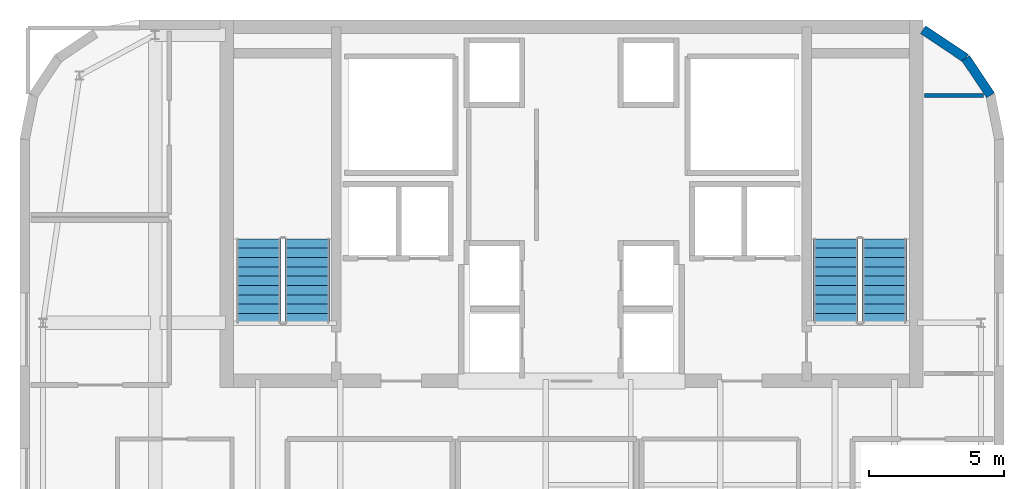
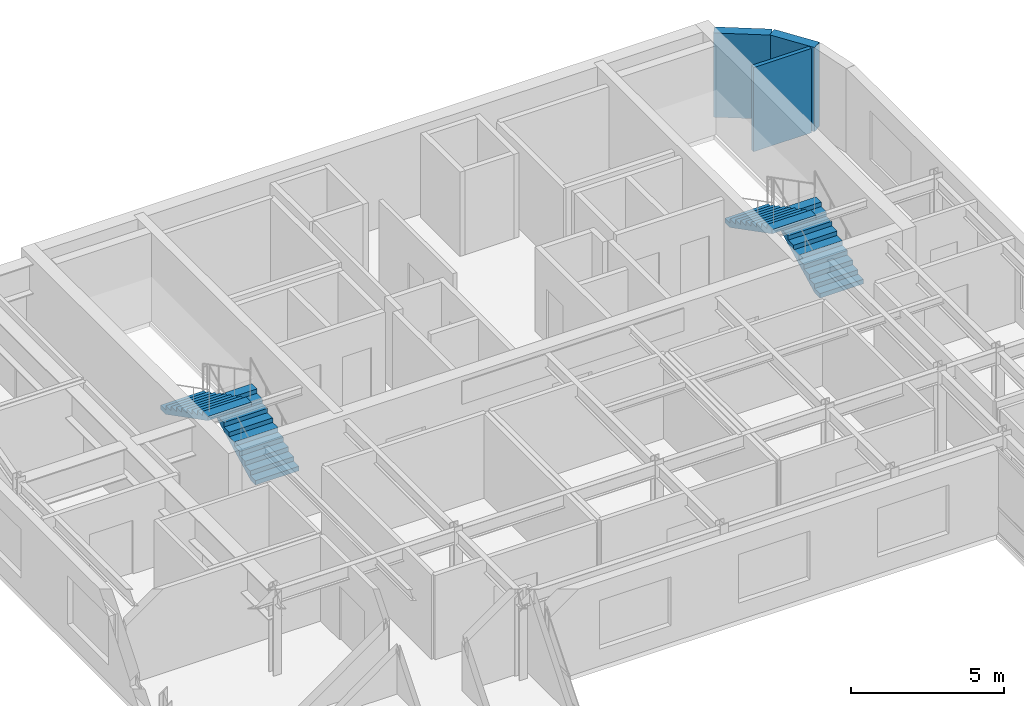
# One storey, part 17 of 18: 4 stair flights, 3 walls, 2 elements without a shape of their own.
"""IFC4 building model written with IfcOpenShell, lengths in metres."""

import ifcopenshell
import ifcopenshell.guid

model = None  # the IFC model being written
_history = None  # IfcOwnerHistory: only IFC2X3 demands one
_inside = {}  # id of a spatial element -> (the spatial element, [elements in it])
_under = {}  # id of a project, library or spatial element -> (it, [spatial elements below it])
_declared = {}  # id of a project -> (the project, [libraries it declares])
_typed = {}  # id of a type object -> (the type object, [elements of that type])
_made_of = {}  # id of a material, layer set ... -> (it, [elements and type objects made of it])


def new_model(schema):
    """Start an empty IFC model of exactly this schema.

    Asked for "IFC4X3", IfcOpenShell would pick the latest addendum, in which some entities
    have other attributes; the version numbers below select the first issue.
    IFC2X3 requires an IfcOwnerHistory on every rooted entity: one is made here for all.
    """
    global model, _history
    if schema == "IFC4X3":
        model = ifcopenshell.file(schema_version=(4, 3, 0, 0))
    else:
        model = ifcopenshell.file(schema=schema)
    _inside.clear()
    _under.clear()
    _declared.clear()
    _typed.clear()
    _made_of.clear()
    _history = None
    if model.schema == "IFC2X3":
        org = make("IfcOrganization", Name="unknown")
        user = make(
            "IfcPersonAndOrganization",
            ThePerson=make("IfcPerson", FamilyName="unknown"),
            TheOrganization=org,
        )
        app = make(
            "IfcApplication",
            ApplicationDeveloper=org,
            Version="unknown",
            ApplicationFullName="unknown",
            ApplicationIdentifier="unknown",
        )
        _history = make(
            "IfcOwnerHistory",
            OwningUser=user,
            OwningApplication=app,
            ChangeAction="ADDED",
            CreationDate=0,
        )
    return model


def make(cls, **values):
    """One entity of the class cls with the attributes given. An attribute that is None is left unset."""
    return model.create_entity(
        cls, **{name: value for name, value in values.items() if value is not None}
    )


def rooted(cls, **values):
    """An entity with a GlobalId (a new one), such as an element, a storey or a relation."""
    return make(cls, GlobalId=ifcopenshell.guid.new(), OwnerHistory=_history, **values)


def si_unit(unit_type, name, prefix=None):
    """IfcSIUnit, for example si_unit("LENGTHUNIT", "METRE", prefix="MILLI")."""
    return make("IfcSIUnit", UnitType=unit_type, Prefix=prefix, Name=name)


def assignment(units):
    """IfcUnitAssignment: the units of a project."""
    return None if units is None else make("IfcUnitAssignment", Units=units)


def point(xyz):
    """IfcCartesianPoint."""
    return None if xyz is None else make("IfcCartesianPoint", Coordinates=xyz)


def direction(xyz):
    """IfcDirection."""
    return None if xyz is None else make("IfcDirection", DirectionRatios=xyz)


def frame(location, z_axis=None, x_axis=None):
    """IfcAxis2Placement3D, a coordinate frame: its origin and axes. An axis left out is left unset."""
    return make(
        "IfcAxis2Placement3D",
        Location=point(location),
        Axis=direction(z_axis),
        RefDirection=direction(x_axis),
    )


def frame_2d(location, x_axis=None):
    """IfcAxis2Placement2D, a coordinate frame in the plane: its origin and x axis."""
    return make(
        "IfcAxis2Placement2D", Location=point(location), RefDirection=direction(x_axis)
    )


def origin():
    """The frame at (0, 0, 0) with its axes left unset."""
    return frame((0.0, 0.0, 0.0))


def place(relative_to, where):
    """IfcLocalPlacement: puts the frame where relative to a parent placement (None: the world)."""
    return make(
        "IfcLocalPlacement", PlacementRelTo=relative_to, RelativePlacement=where
    )


def context(
    kind, dimensions, precision=None, world=None, true_north=None, identifier=None
):
    """IfcGeometricRepresentationContext, for example the 3D "Model" context."""
    return make(
        "IfcGeometricRepresentationContext",
        ContextIdentifier=identifier,
        ContextType=kind,
        CoordinateSpaceDimension=dimensions,
        Precision=precision,
        WorldCoordinateSystem=world,
        TrueNorth=true_north,
    )


def subcontext(parent, identifier, kind, view, scale=None):
    """IfcGeometricRepresentationSubContext, for example "Body" below "Model"."""
    return make(
        "IfcGeometricRepresentationSubContext",
        ContextIdentifier=identifier,
        ContextType=kind,
        ParentContext=parent,
        TargetScale=scale,
        TargetView=view,
    )


def project(units=None, contexts=None):
    """IfcProject with its units and contexts."""
    return rooted(
        "IfcProject",
        Name="project",
        RepresentationContexts=contexts,
        UnitsInContext=assignment(units),
    )


def spatial(cls, under=None, at=None, **own):
    """A site, building, storey or space (cls), placed at a placement, below another one or the project."""
    s = rooted(cls, ObjectPlacement=at, **own)
    if under is not None:
        _under.setdefault(under.id(), (under, []))[1].append(s)
    return s


def polyline(points):
    """IfcPolyline through the points."""
    return make("IfcPolyline", Points=[point(p) for p in points])


def profile(cls, at=None, kind="AREA", **sizes):
    """A parametric profile (cls). Its sizes go by their IFC names, for example OverallWidth=200.0."""
    return make(cls, ProfileType=kind, Position=at, **sizes)


def rectangle(**sizes):
    """IfcRectangleProfileDef."""
    return profile("IfcRectangleProfileDef", **sizes)


def outline(outer, holes=None, kind="AREA"):
    """IfcArbitraryClosedProfileDef: a profile drawn as a closed curve; with holes, ...WithVoids."""
    if holes is None:
        return make("IfcArbitraryClosedProfileDef", ProfileType=kind, OuterCurve=outer)
    return make(
        "IfcArbitraryProfileDefWithVoids",
        ProfileType=kind,
        OuterCurve=outer,
        InnerCurves=holes,
    )


def extrude(swept, where, along, depth):
    """IfcExtrudedAreaSolid: the profile swept, set in the frame where, extruded along a direction by depth."""
    return make(
        "IfcExtrudedAreaSolid",
        SweptArea=swept,
        Position=where,
        ExtrudedDirection=direction(along),
        Depth=depth,
    )


def shape(context_of_items, identifier, shape_type, items):
    """IfcShapeRepresentation: the items that make up one representation, for example the "Body"."""
    return make(
        "IfcShapeRepresentation",
        ContextOfItems=context_of_items,
        RepresentationIdentifier=identifier,
        RepresentationType=shape_type,
        Items=items,
    )


def material(Name=None, Category=None):
    """IfcMaterial."""
    return make("IfcMaterial", Name=Name, Category=Category)


def layer(
    of_material, thickness, ventilated=None, Name=None, Category=None, Priority=None
):
    """IfcMaterialLayer: one layer of a wall or slab, of a material (None: an air gap)."""
    return make(
        "IfcMaterialLayer",
        Material=of_material,
        LayerThickness=thickness,
        IsVentilated=ventilated,
        Name=Name,
        Category=Category,
        Priority=Priority,
    )


def layer_set(layers, Name=None):
    """IfcMaterialLayerSet."""
    return make("IfcMaterialLayerSet", MaterialLayers=layers, LayerSetName=Name)


def made_of(thing, what):
    """Note that an element or type object is made of a material, layer set ...; save() writes the relation."""
    if what is not None:
        _made_of.setdefault(what.id(), (what, []))[1].append(thing)
    return thing


def type_object(cls, material=None, **own):
    """A type object (cls), such as IfcWallType, which elements share."""
    return made_of(rooted(cls, **own), material)


def element(
    cls,
    number,
    at=None,
    inside=None,
    cuts=None,
    type_object=None,
    material=None,
    context=None,
    identifier="Body",
    shape_type=None,
    held_by="IfcProductDefinitionShape",
    body=None,
    shapes=None,
    **own,
):
    """One element of the class cls, such as IfcWall. Its Tag is "e" and its number.

    at: its placement. inside: the storey or other place that contains it. cuts: it is an
    opening in that element (IfcRelVoidsElement). A single representation is given by context,
    identifier, shape_type and body (its items); several are given by shapes. held_by: the class
    of the entity that holds the representations. save() writes the other relations.
    """
    e = rooted(cls, Tag="e%d" % number, ObjectPlacement=at, **own)
    if body is not None:
        shapes = [shape(context, identifier, shape_type, body)]
    if shapes is not None:
        e.Representation = make(held_by, Representations=shapes)
    if inside is not None:
        _inside.setdefault(inside.id(), (inside, []))[1].append(e)
    if cuts is not None:
        rooted(
            "IfcRelVoidsElement", RelatingBuildingElement=cuts, RelatedOpeningElement=e
        )
    if type_object is not None:
        _typed.setdefault(type_object.id(), (type_object, []))[1].append(e)
    return made_of(e, material)


def aggregate(whole, parts):
    """IfcRelAggregates: a whole, such as a stair, and the parts it consists of."""
    return rooted("IfcRelAggregates", RelatingObject=whole, RelatedObjects=parts)


def save(model, path):
    """Write the relations noted so far, then the file.

    IfcRelAggregates (storeys below a building ...), IfcRelContainedInSpatialStructure (elements
    in a storey), IfcRelDefinesByType, IfcRelAssociatesMaterial and IfcRelDeclares: one each for
    every whole, place, type object, material and project.
    """
    for whole, parts in _under.values():
        aggregate(whole, parts)
    for where, things in _inside.values():
        rooted(
            "IfcRelContainedInSpatialStructure",
            RelatedElements=things,
            RelatingStructure=where,
        )
    for kind, things in _typed.values():
        rooted("IfcRelDefinesByType", RelatedObjects=things, RelatingType=kind)
    for what, things in _made_of.values():
        rooted("IfcRelAssociatesMaterial", RelatedObjects=things, RelatingMaterial=what)
    for by, libraries in _declared.values():
        rooted("IfcRelDeclares", RelatingContext=by, RelatedDefinitions=libraries)
    model.write(path)


model = new_model("IFC4")

# Units and contexts
model_context = context("Model", 3, precision=1e-05, world=origin(), true_north=direction((0.0, 1.0)))
body_context = subcontext(model_context, "Body", "Model", "MODEL_VIEW")
ifc_project = project(units=[si_unit("LENGTHUNIT", "METRE"), si_unit("AREAUNIT", "SQUARE_METRE"), si_unit("VOLUMEUNIT", "CUBIC_METRE"), si_unit("PLANEANGLEUNIT", "RADIAN"), si_unit("MASSUNIT", "GRAM", prefix="KILO")], contexts=[model_context])

# Site, building, storey
site_placement = place(None, origin())
site = spatial("IfcSite", under=ifc_project, at=site_placement, CompositionType="ELEMENT")
building_placement = place(site_placement, origin())
building = spatial("IfcBuilding", under=site, at=building_placement, Name="Tolvann Quenvar Hotel", CompositionType="ELEMENT")
storey_placement = place(building_placement, frame((0.0, 0.0, 252.300048828125)))
storey = spatial("IfcBuildingStorey", under=building, at=storey_placement, Name="L67", CompositionType="ELEMENT", Elevation=252.300048828125)

# Walls
ifc_material_1 = material(Name="Kiln-fired red and buff architectural clay brickwork and terracotta masonry", Category="masonry")
ifc_layer_1 = layer(ifc_material_1, 0.35009765625)
ifc_layer_set_1 = layer_set([ifc_layer_1], Name="Kiln-fired red and buff architectural clay brickwork and terracotta masonry")
wall_type_1 = type_object("IfcWallType", Name="WALL_EXT_BRICK_350", PredefinedType="SOLIDWALL", material=ifc_layer_set_1)
wall_1_placement = place(storey_placement, frame((38.500244140625, 42.41552734375, 0.0), z_axis=(0.0, 0.0, 1.0), x_axis=(-0.555520825599, 0.831502623162, 0.0)))
element("IfcWall", 1, at=wall_1_placement, inside=storey, type_object=wall_type_1, Name="Exterior Chicago Brick Wall L67-E15", PredefinedType="SOLIDWALL", context=body_context, shape_type="SweptSolid", body=[
    extrude(rectangle(XDim=1.647216796875, YDim=0.35009765625, at=frame_2d((0.82373046875, 0.0))), origin(), (0.0, 0.0, 1.0), 3.369873046875),
])
wall_2_placement = place(storey_placement, frame((37.585205078125, 43.78515625, 0.0), z_axis=(0.0, 0.0, 1.0), x_axis=(-0.831516639465, 0.555499845448, 0.0)))
element("IfcWall", 2, at=wall_2_placement, inside=storey, type_object=wall_type_1, Name="Exterior Chicago Brick Wall L67-E16", PredefinedType="SOLIDWALL", context=body_context, shape_type="SweptSolid", body=[
    extrude(rectangle(XDim=1.901611328125, YDim=0.35009765625, at=frame_2d((0.95068359375, 0.0))), origin(), (0.0, 0.0, 1.0), 3.369873046875),
])
ifc_material_2 = material(Name="Acoustic twin-stud fire-rated gypsum plasterboard partition")
ifc_layer_2 = layer(ifc_material_2, 0.14990234375)
ifc_layer_set_2 = layer_set([ifc_layer_2], Name="Acoustic twin-stud fire-rated gypsum plasterboard partition")
wall_type_2 = type_object("IfcWallType", Name="WALL_PART_SUITE_150", PredefinedType="PARTITIONING", material=ifc_layer_set_2)
wall_3_placement = place(storey_placement, frame((36.054931640625, 42.39990234375, 0.0), z_axis=(0.0, 0.0, 1.0), x_axis=(1.0, 0.0, 0.0)))
element("IfcWall", 3, at=wall_3_placement, inside=storey, type_object=wall_type_2, Name="Interior Partition PT-SPC-L67-RECPL-P-N", PredefinedType="PARTITIONING", context=body_context, shape_type="SweptSolid", body=[
    extrude(rectangle(XDim=2.178955078125, YDim=0.14990234375, at=frame_2d((1.08935546875, 0.0))), origin(), (0.0, 0.0, 1.0), 3.369873046875),
])

# Stair, stair flights
ifc_material_3 = material(Name="Concrete N40 (40 MPa)", Category="concrete")
stair_type = type_object("IfcStairType", Name="STAIR", PredefinedType="HALF_TURN_STAIR", material=ifc_material_3)
stair_1_placement = place(storey_placement, origin())
stair_1 = element("IfcStair", 4, at=stair_1_placement, inside=storey, type_object=stair_type, Name="L67 ST-C1", PredefinedType="HALF_TURN_STAIR")
stair_flight_type = type_object("IfcStairFlightType", Name="STAIR_FLIGHT", PredefinedType="STRAIGHT", material=ifc_material_3)
stair_flight_1_placement = place(storey_placement, frame((13.22509765625, 34.0, 0.0), z_axis=(0.0, 0.0, 1.0), x_axis=(0.0, 1.0, 0.0)))
stair_flight_1 = element("IfcStairFlight", 5, at=stair_flight_1_placement, type_object=stair_flight_type, Name="ST-C1 flight 1", NumberOfRisers=10, NumberOfTreads=9, PredefinedType="STRAIGHT", RiserHeight=0.1775, TreadLength=0.345, context=body_context, shape_type="SweptSolid", body=[
    extrude(outline(polyline([(0.0, 0.0), (0.0, 0.177490234375), (0.344970703125, 0.177490234375), (0.344970703125, 0.35498046875), (0.68994140625, 0.35498046875), (0.68994140625, 0.532470703125), (1.034912109375, 0.532470703125), (1.034912109375, 0.7099609375), (1.3798828125, 0.7099609375), (1.3798828125, 0.887451171875), (1.72509765625, 0.887451171875), (1.72509765625, 1.06494140625), (2.070068359375, 1.06494140625), (2.070068359375, 1.242431640625), (2.4150390625, 1.242431640625), (2.4150390625, 1.419921875), (2.760009765625, 1.419921875), (2.760009765625, 1.597412109375), (3.10498046875, 1.597412109375), (3.10498046875, 1.77490234375), (3.10498046875, 1.428955078125), (0.32763671875, 0.0), (0.0, 0.0)])), frame((0.0, 0.824951171875, 0.0), z_axis=(0.0, -1.0, 0.0), x_axis=(1.0, 0.0, 0.0)), (0.0, 0.0, 1.0), 1.64990234375),
])
stair_flight_2_placement = place(storey_placement, frame((11.425048828125, 37.10498046875, 1.77490234375), z_axis=(0.0, 0.0, 1.0), x_axis=(0.0, -1.0, 0.0)))
stair_flight_2 = element("IfcStairFlight", 6, at=stair_flight_2_placement, type_object=stair_flight_type, Name="ST-C1 flight 2", NumberOfRisers=10, NumberOfTreads=9, PredefinedType="STRAIGHT", RiserHeight=0.1775, TreadLength=0.345, context=body_context, shape_type="SweptSolid", body=[
    extrude(outline(polyline([(0.0, 0.0), (0.0, 0.177490234375), (0.344970703125, 0.177490234375), (0.344970703125, 0.35498046875), (0.68994140625, 0.35498046875), (0.68994140625, 0.532470703125), (1.034912109375, 0.532470703125), (1.034912109375, 0.7099609375), (1.3798828125, 0.7099609375), (1.3798828125, 0.887451171875), (1.72509765625, 0.887451171875), (1.72509765625, 1.06494140625), (2.070068359375, 1.06494140625), (2.070068359375, 1.242431640625), (2.4150390625, 1.242431640625), (2.4150390625, 1.419921875), (2.760009765625, 1.419921875), (2.760009765625, 1.597412109375), (3.10498046875, 1.597412109375), (3.10498046875, 1.77490234375), (3.10498046875, 1.428955078125), (0.32763671875, 0.0), (0.0, 0.0)])), frame((0.0, 0.824951171875, 0.0), z_axis=(0.0, -1.0, 0.0), x_axis=(1.0, 0.0, 0.0)), (0.0, 0.0, 1.0), 1.64990234375),
])
aggregate(stair_1, [stair_flight_1, stair_flight_2])

stair_2_placement = place(storey_placement, origin())
stair_2 = element("IfcStair", 7, at=stair_2_placement, inside=storey, type_object=stair_type, Name="L67 ST-C2", PredefinedType="HALF_TURN_STAIR")
stair_flight_3_placement = place(storey_placement, frame((34.574951171875, 34.0, 0.0), z_axis=(0.0, 0.0, 1.0), x_axis=(0.0, 1.0, 0.0)))
stair_flight_3 = element("IfcStairFlight", 8, at=stair_flight_3_placement, type_object=stair_flight_type, Name="ST-C2 flight 1", NumberOfRisers=10, NumberOfTreads=9, PredefinedType="STRAIGHT", RiserHeight=0.1775, TreadLength=0.345, context=body_context, shape_type="SweptSolid", body=[
    extrude(outline(polyline([(0.0, 0.0), (0.0, 0.177490234375), (0.344970703125, 0.177490234375), (0.344970703125, 0.35498046875), (0.68994140625, 0.35498046875), (0.68994140625, 0.532470703125), (1.034912109375, 0.532470703125), (1.034912109375, 0.7099609375), (1.3798828125, 0.7099609375), (1.3798828125, 0.887451171875), (1.72509765625, 0.887451171875), (1.72509765625, 1.06494140625), (2.070068359375, 1.06494140625), (2.070068359375, 1.242431640625), (2.4150390625, 1.242431640625), (2.4150390625, 1.419921875), (2.760009765625, 1.419921875), (2.760009765625, 1.597412109375), (3.10498046875, 1.597412109375), (3.10498046875, 1.77490234375), (3.10498046875, 1.428955078125), (0.32763671875, 0.0), (0.0, 0.0)])), frame((0.0, 0.824951171875, 0.0), z_axis=(0.0, -1.0, 0.0), x_axis=(1.0, 0.0, 0.0)), (0.0, 0.0, 1.0), 1.64990234375),
])
stair_flight_4_placement = place(storey_placement, frame((32.77490234375, 37.10498046875, 1.77490234375), z_axis=(0.0, 0.0, 1.0), x_axis=(0.0, -1.0, 0.0)))
stair_flight_4 = element("IfcStairFlight", 9, at=stair_flight_4_placement, type_object=stair_flight_type, Name="ST-C2 flight 2", NumberOfRisers=10, NumberOfTreads=9, PredefinedType="STRAIGHT", RiserHeight=0.1775, TreadLength=0.345, context=body_context, shape_type="SweptSolid", body=[
    extrude(outline(polyline([(0.0, 0.0), (0.0, 0.177490234375), (0.344970703125, 0.177490234375), (0.344970703125, 0.35498046875), (0.68994140625, 0.35498046875), (0.68994140625, 0.532470703125), (1.034912109375, 0.532470703125), (1.034912109375, 0.7099609375), (1.3798828125, 0.7099609375), (1.3798828125, 0.887451171875), (1.72509765625, 0.887451171875), (1.72509765625, 1.06494140625), (2.070068359375, 1.06494140625), (2.070068359375, 1.242431640625), (2.4150390625, 1.242431640625), (2.4150390625, 1.419921875), (2.760009765625, 1.419921875), (2.760009765625, 1.597412109375), (3.10498046875, 1.597412109375), (3.10498046875, 1.77490234375), (3.10498046875, 1.428955078125), (0.32763671875, 0.0), (0.0, 0.0)])), frame((0.0, 0.824951171875, 0.0), z_axis=(0.0, -1.0, 0.0), x_axis=(1.0, 0.0, 0.0)), (0.0, 0.0, 1.0), 1.64990234375),
])
aggregate(stair_2, [stair_flight_3, stair_flight_4])

save(model, "model.ifc")
